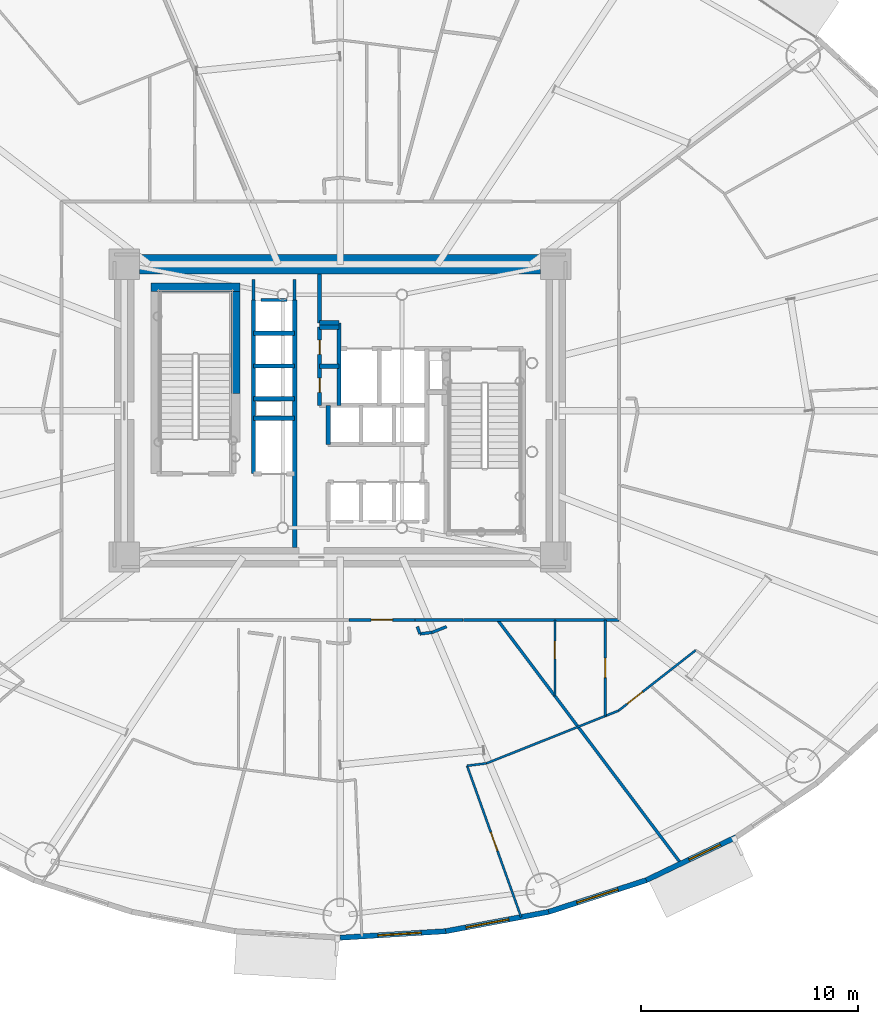
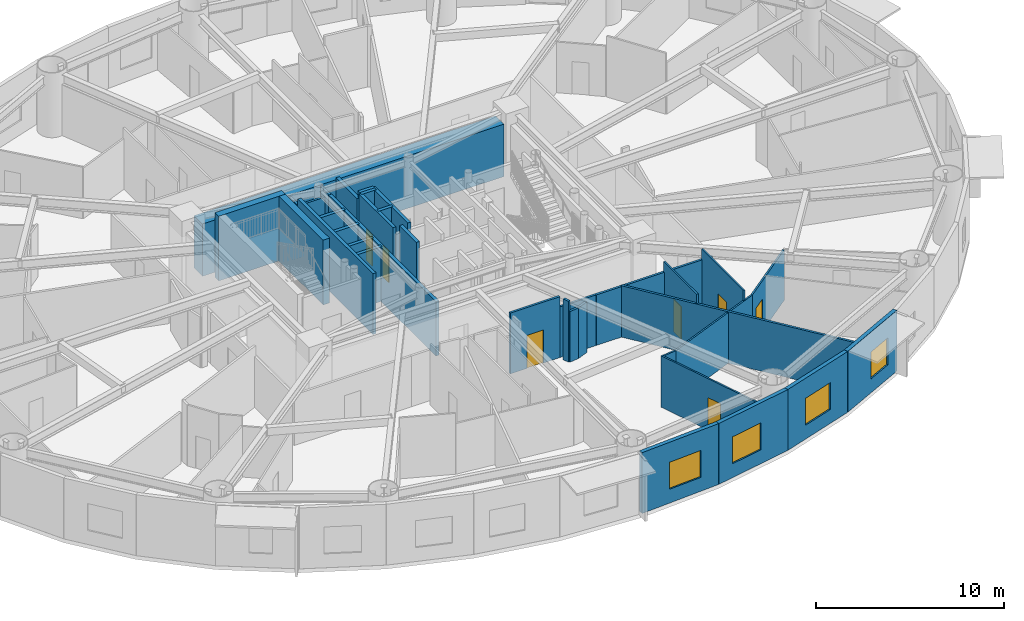
# One storey, part 12 of 24: 36 walls, 7 doors, 4 windows, 11 openings.
"""IFC4 building model written with IfcOpenShell, lengths in metres."""

from ifc_helpers import new_model, si_unit, direction, frame, frame_2d, origin, origin_2d, place, context, subcontext, project, spatial, rectangle, extrude, source, transform, mapped, material, layer, layer_set, type_object, element, fill, save


model = new_model("IFC4")

# Units and contexts
model_context = context("Model", 3, precision=1e-05, world=origin(), true_north=direction((0.0, 1.0)))
body_context = subcontext(model_context, "Body", "Model", "MODEL_VIEW")
ifc_project = project(units=[si_unit("LENGTHUNIT", "METRE"), si_unit("AREAUNIT", "SQUARE_METRE"), si_unit("VOLUMEUNIT", "CUBIC_METRE"), si_unit("PLANEANGLEUNIT", "RADIAN"), si_unit("MASSUNIT", "GRAM", prefix="KILO")], contexts=[model_context])

# Site, building, storey
site_placement = place(None, origin())
site = spatial("IfcSite", under=ifc_project, at=site_placement, CompositionType="ELEMENT")
building_placement = place(site_placement, origin())
building = spatial("IfcBuilding", under=site, at=building_placement, Name="Linh Dai School and Residence Tower", CompositionType="ELEMENT")
storey_placement = place(building_placement, frame((0.0, 0.0, 70.199951171875)))
storey = spatial("IfcBuildingStorey", under=building, at=storey_placement, Name="L16", CompositionType="ELEMENT", Elevation=70.199951171875)

# Wall, opening, window
ifc_material_1 = material(Name="Precast Concrete B45 (C35/45)", Category="concrete")
ifc_layer_1 = layer(ifc_material_1, 0.239990234375)
ifc_layer_set_1 = layer_set([ifc_layer_1], Name="Precast Concrete B45 (C35/45)")
wall_type_1 = type_object("IfcWallType", Name="EW-TC-240", PredefinedType="SOLIDWALL", material=ifc_layer_set_1)
wall_1_placement = place(storey_placement, frame((40.865478515625, 2.994873046875, 0.0), z_axis=(0.0, 0.0, 1.0), x_axis=(-0.998106954071, -0.061502099433, 0.0)))
wall_1 = element("IfcWall", 1, at=wall_1_placement, inside=storey, type_object=wall_type_1, Name="L16 Terracotta Exterior Wall 31", PredefinedType="SOLIDWALL", context=body_context, shape_type="SweptSolid", body=[
    extrude(rectangle(XDim=4.874755859375, YDim=0.239990234375, at=frame_2d((2.4375, 0.0))), origin(), (0.0, 0.0, 1.0), 3.949951171875),
])
opening_1_placement = place(wall_1_placement, frame((1.128173828125, 0.0, 0.89990234375)))
opening_1 = element("IfcOpeningElement", 2, at=opening_1_placement, cuts=wall_1, Name="Opening W1", PredefinedType="OPENING", context=body_context, shape_type="SweptSolid", body=[
    extrude(rectangle(XDim=2.0, YDim=1.75, at=origin_2d()), frame((1.0, 0.1298828125, 0.875), z_axis=(0.0, -1.0, 0.0), x_axis=(1.0, 0.0, 0.0)), (0.0, 0.0, 1.0), 0.260009765625),
])
ifc_material_2 = material(Name="Double Low-E Insulated Glazing", Category="glass")
window_type_1 = type_object("IfcWindowType", Name="WN-RES-2000x1750", PartitioningType="DOUBLE_PANEL_VERTICAL", PredefinedType="WINDOW", material=ifc_material_2)
shared_shape_1 = source(origin(), body_context, "Body", "SweptSolid", [
    extrude(rectangle(XDim=2.0, YDim=1.75, at=origin_2d()), frame((1.0, 0.030029296875, 0.875), z_axis=(0.0, -1.0, 0.0), x_axis=(1.0, 0.0, 0.0)), (0.0, 0.0, 1.0), 0.06005859375),
])
window_1_placement = place(opening_1_placement, origin())
window_1 = element("IfcWindow", 3, at=window_1_placement, inside=storey, type_object=window_type_1, Name="L16 Exterior Window 31.1", OverallHeight=1.75, OverallWidth=2.0, PartitioningType="DOUBLE_PANEL_VERTICAL", PredefinedType="WINDOW", context=body_context, shape_type="MappedRepresentation", body=[
    mapped(shared_shape_1, transform((0.0, 0.0, 0.0), x_axis=(1.0, 0.0, 0.0), y_axis=(0.0, 1.0, 0.0), z_axis=(0.0, 0.0, 1.0), scale=1.0)),
])
fill(opening_1, window_1)

wall_2_placement = place(storey_placement, frame((45.610595703125, 3.88671875, 0.0), z_axis=(0.0, 0.0, 1.0), x_axis=(-0.982791952378, -0.184715939598, 0.0)))
wall_2 = element("IfcWall", 4, at=wall_2_placement, inside=storey, type_object=wall_type_1, Name="L16 Terracotta Exterior Wall 32", PredefinedType="SOLIDWALL", context=body_context, shape_type="SweptSolid", body=[
    extrude(rectangle(XDim=4.828125, YDim=0.239990234375, at=frame_2d((2.4140625, 0.0))), origin(), (0.0, 0.0, 1.0), 3.949951171875),
])
opening_2_placement = place(wall_2_placement, frame((1.873779296875, 0.0, 0.89990234375)))
opening_2 = element("IfcOpeningElement", 5, at=opening_2_placement, cuts=wall_2, Name="Opening W1", PredefinedType="OPENING", context=body_context, shape_type="SweptSolid", body=[
    extrude(rectangle(XDim=2.0, YDim=1.75, at=origin_2d()), frame((1.0, 0.1298828125, 0.875), z_axis=(0.0, -1.0, 0.0), x_axis=(1.0, 0.0, 0.0)), (0.0, 0.0, 1.0), 0.260009765625),
])
window_2_placement = place(opening_2_placement, origin())
window_2 = element("IfcWindow", 6, at=window_2_placement, inside=storey, type_object=window_type_1, Name="L16 Exterior Window 32.1", OverallHeight=1.75, OverallWidth=2.0, PartitioningType="DOUBLE_PANEL_VERTICAL", PredefinedType="WINDOW", context=body_context, shape_type="MappedRepresentation", body=[
    mapped(shared_shape_1, transform((0.0, 0.0, 0.0), x_axis=(1.0, 0.0, 0.0), y_axis=(0.0, 1.0, 0.0), z_axis=(0.0, 0.0, 1.0), scale=1.0)),
])
fill(opening_2, window_2)

wall_3_placement = place(storey_placement, frame((50.1181640625, 5.348876953125, 0.0), z_axis=(0.0, 0.0, 1.0), x_axis=(-0.951207699013, -0.308551313946, 0.0)))
wall_3 = element("IfcWall", 7, at=wall_3_placement, inside=storey, type_object=wall_type_1, Name="L16 Terracotta Exterior Wall 33", PredefinedType="SOLIDWALL", context=body_context, shape_type="SweptSolid", body=[
    extrude(rectangle(XDim=4.73876953125, YDim=0.239990234375, at=frame_2d((2.369384765625, 0.0))), origin(), (0.0, 0.0, 1.0), 3.949951171875),
])
opening_3_placement = place(wall_3_placement, frame((1.369384765625, 0.0, 0.89990234375)))
opening_3 = element("IfcOpeningElement", 8, at=opening_3_placement, cuts=wall_3, Name="Opening W1", PredefinedType="OPENING", context=body_context, shape_type="SweptSolid", body=[
    extrude(rectangle(XDim=2.0, YDim=1.75, at=origin_2d()), frame((1.0, 0.1298828125, 0.875), z_axis=(0.0, -1.0, 0.0), x_axis=(1.0, 0.0, 0.0)), (0.0, 0.0, 1.0), 0.260009765625),
])
window_3_placement = place(opening_3_placement, origin())
window_3 = element("IfcWindow", 9, at=window_3_placement, inside=storey, type_object=window_type_1, Name="L16 Exterior Window 33.1", OverallHeight=1.75, OverallWidth=2.0, PartitioningType="DOUBLE_PANEL_VERTICAL", PredefinedType="WINDOW", context=body_context, shape_type="MappedRepresentation", body=[
    mapped(shared_shape_1, transform((0.0, 0.0, 0.0), x_axis=(1.0, 0.0, 0.0), y_axis=(0.0, 1.0, 0.0), z_axis=(0.0, 0.0, 1.0), scale=1.0)),
])
fill(opening_3, window_3)

wall_4_placement = place(storey_placement, frame((54.277099609375, 7.34423828125, 0.0), z_axis=(0.0, 0.0, 1.0), x_axis=(-0.901601503137, -0.432567601123, 0.0)))
wall_4 = element("IfcWall", 10, at=wall_4_placement, inside=storey, type_object=wall_type_1, Name="L16 Terracotta Exterior Wall 34", PredefinedType="SOLIDWALL", context=body_context, shape_type="SweptSolid", body=[
    extrude(rectangle(XDim=4.61279296875, YDim=0.239990234375, at=frame_2d((2.306396484375, 0.0))), origin(), (0.0, 0.0, 1.0), 3.949951171875),
])
opening_4_placement = place(wall_4_placement, frame((0.825927734375, 0.0, 0.89990234375)))
opening_4 = element("IfcOpeningElement", 11, at=opening_4_placement, cuts=wall_4, Name="Opening W2", PredefinedType="OPENING", context=body_context, shape_type="SweptSolid", body=[
    extrude(rectangle(XDim=1.60009765625, YDim=1.75, at=origin_2d()), frame((0.800048828125, 0.1298828125, 0.875), z_axis=(0.0, -1.0, 0.0), x_axis=(1.0, 0.0, 0.0)), (0.0, 0.0, 1.0), 0.260009765625),
])
window_type_2 = type_object("IfcWindowType", Name="WN-RES-1600x1750", PartitioningType="DOUBLE_PANEL_VERTICAL", PredefinedType="WINDOW", material=ifc_material_2)
shared_shape_2 = source(origin(), body_context, "Body", "SweptSolid", [
    extrude(rectangle(XDim=1.60009765625, YDim=1.75, at=origin_2d()), frame((0.800048828125, 0.030029296875, 0.875), z_axis=(0.0, -1.0, 0.0), x_axis=(1.0, 0.0, 0.0)), (0.0, 0.0, 1.0), 0.06005859375),
])
window_4_placement = place(opening_4_placement, origin())
window_4 = element("IfcWindow", 12, at=window_4_placement, inside=storey, type_object=window_type_2, Name="L16 Exterior Window 34.1", OverallHeight=1.75, OverallWidth=1.60009765625, PartitioningType="DOUBLE_PANEL_VERTICAL", PredefinedType="WINDOW", context=body_context, shape_type="MappedRepresentation", body=[
    mapped(shared_shape_2, transform((0.0, 0.0, 0.0), x_axis=(1.0, 0.0, 0.0), y_axis=(0.0, 1.0, 0.0), z_axis=(0.0, 0.0, 1.0), scale=1.0)),
])
fill(opening_4, window_4)

# Wall, opening, door
ifc_material_3 = material(Name="Autoclaved Aerated Concrete Blockwork", Category="masonry")
ifc_layer_2 = layer(ifc_material_3, 0.135009765625)
ifc_layer_set_2 = layer_set([ifc_layer_2], Name="Autoclaved Aerated Concrete Blockwork")
wall_type_2 = type_object("IfcWallType", Name="IW-CORR-135-EI90", PredefinedType="PARTITIONING", material=ifc_layer_set_2)
wall_5_placement = place(storey_placement, frame((36.398681640625, 17.35009765625, 0.0), z_axis=(0.0, 0.0, 1.0), x_axis=(1.0, 0.0, 0.0)))
wall_5 = element("IfcWall", 13, at=wall_5_placement, inside=storey, type_object=wall_type_2, Name="L16 Interior Partition Wall 062", PredefinedType="PARTITIONING", context=body_context, shape_type="SweptSolid", body=[
    extrude(rectangle(XDim=3.05029296875, YDim=0.135009765625, at=frame_2d((1.525146484375, 0.0))), origin(), (0.0, 0.0, 1.0), 3.949951171875),
])
opening_5_placement = place(wall_5_placement, frame((1.025146484375, 0.0, 0.0)))
opening_5 = element("IfcOpeningElement", 14, at=opening_5_placement, cuts=wall_5, Name="Opening D03", PredefinedType="OPENING", context=body_context, shape_type="SweptSolid", body=[
    extrude(rectangle(XDim=1.0, YDim=2.14990234375, at=origin_2d()), frame((0.5, 0.07763671875, 1.074951171875), z_axis=(0.0, -1.0, 0.0), x_axis=(1.0, 0.0, 0.0)), (0.0, 0.0, 1.0), 0.155029296875),
])
ifc_material_4 = material(Name="Fire-Rated Solid Timber Entrance Door", Category="wood")
door_type_1 = type_object("IfcDoorType", Name="DR-FLAT-1000x2150-FD60S", OperationType="NOTDEFINED", PredefinedType="DOOR", material=ifc_material_4)
shared_shape_3 = source(origin(), body_context, "Body", "SweptSolid", [
    extrude(rectangle(XDim=1.0, YDim=2.14990234375, at=origin_2d()), frame((0.5, 0.02490234375, 1.074951171875), z_axis=(0.0, -1.0, 0.0), x_axis=(1.0, 0.0, 0.0)), (0.0, 0.0, 1.0), 0.050048828125),
])
door_1_placement = place(opening_5_placement, origin())
door_1 = element("IfcDoor", 15, at=door_1_placement, inside=storey, type_object=door_type_1, Name="L16 U1605 Apartment Entrance Door", OperationType="SINGLE_SWING_LEFT", OverallHeight=2.14990234375, OverallWidth=1.0, PredefinedType="DOOR", context=body_context, shape_type="MappedRepresentation", body=[
    mapped(shared_shape_3, transform((0.0, 0.0, 0.0), x_axis=(1.0, 0.0, 0.0), y_axis=(0.0, 1.0, 0.0), z_axis=(0.0, 0.0, 1.0), scale=1.0)),
])
fill(opening_5, door_1)

# Walls
wall_6_placement = place(storey_placement, frame((41.6787109375, 17.35009765625, 0.0), z_axis=(0.0, 0.0, 1.0), x_axis=(1.0, 0.0, 0.0)))
element("IfcWall", 16, at=wall_6_placement, inside=storey, type_object=wall_type_2, Name="L16 Interior Partition Wall 082", PredefinedType="PARTITIONING", context=body_context, shape_type="SweptSolid", body=[
    extrude(rectangle(XDim=7.17138671875, YDim=0.135009765625, at=frame_2d((3.585693359375, 0.0))), origin(), (0.0, 0.0, 1.0), 3.28515625),
])
wall_7_placement = place(storey_placement, frame((43.26318359375, 17.35009765625, 0.0), z_axis=(0.0, 0.0, 1.0), x_axis=(0.601348900386, -0.798986545571, 0.0)))
element("IfcWall", 17, at=wall_7_placement, inside=storey, type_object=wall_type_2, Name="L16 Interior Partition Wall 087", PredefinedType="PARTITIONING", context=body_context, shape_type="SweptSolid", body=[
    extrude(rectangle(XDim=14.06494140625, YDim=0.135009765625, at=frame_2d((7.032470703125, 0.0))), origin(), (0.0, 0.0, 1.0), 3.3349609375),
])
wall_8_placement = place(storey_placement, frame((32.360107421875, 32.10009765625, 0.0), z_axis=(0.0, 0.0, 1.0), x_axis=(1.0, 0.0, 0.0)))
element("IfcWall", 18, at=wall_8_placement, inside=storey, type_object=wall_type_2, Name="L16 Interior Partition Wall 113", PredefinedType="PARTITIONING", context=body_context, shape_type="SweptSolid", body=[
    extrude(rectangle(XDim=1.179931640625, YDim=0.135009765625, at=frame_2d((0.58984375, 0.0))), origin(), (0.0, 0.0, 1.0), 3.53515625),
])
wall_9_placement = place(storey_placement, frame((32.0, 33.0400390625, 0.0), z_axis=(0.0, 0.0, 1.0), x_axis=(0.0, -1.0, 0.0)))
element("IfcWall", 19, at=wall_9_placement, inside=storey, type_object=wall_type_2, Name="L16 Interior Partition Wall 115", PredefinedType="PARTITIONING", context=body_context, shape_type="SweptSolid", body=[
    extrude(rectangle(XDim=0.929931640625, YDim=0.135009765625, at=frame_2d((0.46484375, 0.0))), origin(), (0.0, 0.0, 1.0), 3.485107421875),
])
wall_10_placement = place(storey_placement, frame((33.89990234375, 32.110107421875, 0.0), z_axis=(0.0, 0.0, 1.0), x_axis=(0.0, 1.0, 0.0)))
element("IfcWall", 20, at=wall_10_placement, inside=storey, type_object=wall_type_2, Name="L16 Interior Partition Wall 118", PredefinedType="PARTITIONING", context=body_context, shape_type="SweptSolid", body=[
    extrude(rectangle(XDim=0.929931640625, YDim=0.135009765625, at=frame_2d((0.46484375, 0.0))), origin(), (0.0, 0.0, 1.0), 3.53515625),
])
wall_11_placement = place(storey_placement, frame((41.668701171875, 17.35009765625, 0.0), z_axis=(0.0, 0.0, 1.0), x_axis=(-1.0, 0.0, 0.0)))
element("IfcWall", 21, at=wall_11_placement, inside=storey, type_object=wall_type_2, Name="L16 Interior Partition Wall 122", PredefinedType="PARTITIONING", context=body_context, shape_type="SweptSolid", body=[
    extrude(rectangle(XDim=2.209716796875, YDim=0.135009765625, at=frame_2d((1.10498046875, 0.0))), origin(), (0.0, 0.0, 1.0), 3.28515625),
])
wall_12_placement = place(storey_placement, frame((39.558837890625, 17.04248046875, 0.0), z_axis=(0.0, 0.0, 1.0), x_axis=(0.336510056282, -0.941679872367, 0.0)))
element("IfcWall", 22, at=wall_12_placement, inside=storey, type_object=wall_type_2, Name="L16 Interior Partition Wall 146", PredefinedType="PARTITIONING", context=body_context, shape_type="SweptSolid", body=[
    extrude(rectangle(XDim=0.356201171875, YDim=0.135009765625, at=frame_2d((0.17822265625, 0.0))), origin(), (0.0, 0.0, 1.0), 3.949951171875),
])
wall_13_placement = place(storey_placement, frame((39.6787109375, 16.70703125, 0.0), z_axis=(0.0, 0.0, 1.0), x_axis=(0.99240961586, 0.122976234894, 0.0)))
element("IfcWall", 23, at=wall_13_placement, inside=storey, type_object=wall_type_2, Name="L16 Interior Partition Wall 147", PredefinedType="PARTITIONING", context=body_context, shape_type="SweptSolid", body=[
    extrude(rectangle(XDim=0.56787109375, YDim=0.135009765625, at=frame_2d((0.283935546875, 0.0))), origin(), (0.0, 0.0, 1.0), 3.28515625),
])
wall_14_placement = place(storey_placement, frame((40.2421875, 16.77685546875, 0.0), z_axis=(0.0, 0.0, 1.0), x_axis=(0.928805178175, 0.370568402587, 0.0)))
element("IfcWall", 24, at=wall_14_placement, inside=storey, type_object=wall_type_2, Name="L16 Interior Partition Wall 148", PredefinedType="PARTITIONING", context=body_context, shape_type="SweptSolid", body=[
    extrude(rectangle(XDim=0.716796875, YDim=0.135009765625, at=frame_2d((0.3583984375, 0.0))), origin(), (0.0, 0.0, 1.0), 3.28515625),
])
ifc_material_5 = material(Name="Concrete B45 (C35/45)", Category="concrete")
ifc_layer_3 = layer(ifc_material_5, 0.199951171875)
ifc_layer_set_3 = layer_set([ifc_layer_3], Name="Concrete B45 (C35/45)")
wall_type_3 = type_object("IfcWallType", Name="IW-SHAFT-200-EI120", PredefinedType="PARTITIONING", material=ifc_layer_set_3)
wall_15_placement = place(storey_placement, frame((32.0, 24.10009765625, 0.0), z_axis=(0.0, 0.0, 1.0), x_axis=(0.0, 1.0, 0.0)))
element("IfcWall", 25, at=wall_15_placement, inside=storey, type_object=wall_type_3, Name="L16 Interior Partition Wall 037", PredefinedType="PARTITIONING", context=body_context, shape_type="SweptSolid", body=[
    extrude(rectangle(XDim=8.0, YDim=0.199951171875, at=frame_2d((4.0, 0.0))), origin(), (0.0, 0.0, 1.0), 3.949951171875),
])
for number, where, z_axis, x_axis, name in (
    (26, (32.0, 26.64990234375, 0.0), (0.0, 0.0, 1.0), (1.0, 0.0, 0.0), "L16 Interior Partition Wall 039"),
    (27, (32.0, 27.550048828125, 0.0), (0.0, 0.0, 1.0), (1.0, 0.0, 0.0), "L16 Interior Partition Wall 040"),
    (28, (32.0, 29.06005859375, 0.0), (0.0, 0.0, 1.0), (1.0, 0.0, 0.0), "L16 Interior Partition Wall 041"),
    (29, (32.0, 30.580078125, 0.0), (0.0, 0.0, 1.0), (1.0, 0.0, 0.0), "L16 Interior Partition Wall 042"),
):
    element("IfcWall", number, at=place(storey_placement, frame(where, z_axis=z_axis, x_axis=x_axis)), inside=storey, type_object=wall_type_3, Name=name, PredefinedType="PARTITIONING", context=body_context, shape_type="SweptSolid", body=[
        extrude(rectangle(XDim=1.89990234375, YDim=0.199951171875, at=frame_2d((0.949951171875, 0.0))), origin(), (0.0, 0.0, 1.0), 3.53515625),
    ])
wall_16_placement = place(storey_placement, frame((33.89990234375, 20.699951171875, 0.0), z_axis=(0.0, 0.0, 1.0), x_axis=(0.0, 1.0, 0.0)))
element("IfcWall", 30, at=wall_16_placement, inside=storey, type_object=wall_type_3, Name="L16 Interior Partition Wall 044", PredefinedType="PARTITIONING", context=body_context, shape_type="SweptSolid", body=[
    extrude(rectangle(XDim=11.400146484375, YDim=0.199951171875, at=frame_2d((5.7001953125, 0.0))), origin(), (0.0, 0.0, 1.0), 3.53515625),
])

# Wall, openings, doors
wall_17_placement = place(storey_placement, frame((35.050048828125, 27.25, 0.0), z_axis=(0.0, 0.0, 1.0), x_axis=(0.0, 1.0, 0.0)))
wall_17 = element("IfcWall", 31, at=wall_17_placement, inside=storey, type_object=wall_type_3, Name="L16 Interior Partition Wall 047", PredefinedType="PARTITIONING", context=body_context, shape_type="SweptSolid", body=[
    extrude(rectangle(XDim=3.60009765625, YDim=0.199951171875, at=frame_2d((1.800048828125, 0.0))), origin(), (0.0, 0.0, 1.0), 3.949951171875),
])
opening_6_placement = place(wall_17_placement, frame((0.590087890625, 0.0, 0.0)))
opening_6 = element("IfcOpeningElement", 32, at=opening_6_placement, cuts=wall_17, Name="Opening AD1", PredefinedType="OPENING", context=body_context, shape_type="SweptSolid", body=[
    extrude(rectangle(XDim=0.659912109375, YDim=2.050048828125, at=origin_2d()), frame((0.330078125, 0.10986328125, 1.02490234375), z_axis=(0.0, -1.0, 0.0), x_axis=(1.0, 0.0, 0.0)), (0.0, 0.0, 1.0), 0.219970703125),
])
opening_7_placement = place(wall_17_placement, frame((2.35009765625, 0.0, 0.0)))
opening_7 = element("IfcOpeningElement", 33, at=opening_7_placement, cuts=wall_17, Name="Opening AD1", PredefinedType="OPENING", context=body_context, shape_type="SweptSolid", body=[
    extrude(rectangle(XDim=0.659912109375, YDim=2.050048828125, at=origin_2d()), frame((0.330078125, 0.10986328125, 1.02490234375), z_axis=(0.0, -1.0, 0.0), x_axis=(1.0, 0.0, 0.0)), (0.0, 0.0, 1.0), 0.219970703125),
])
ifc_material_6 = material(Name="Fire-Rated Steel Riser Access Door", Category="steel")
door_type_2 = type_object("IfcDoorType", Name="DR-ACC-660x2050-FD90S", OperationType="NOTDEFINED", PredefinedType="USERDEFINED", material=ifc_material_6)
shared_shape_4 = source(origin(), body_context, "Body", "SweptSolid", [
    extrude(rectangle(XDim=0.659912109375, YDim=2.050048828125, at=origin_2d()), frame((0.330078125, 0.02490234375, 1.02490234375), z_axis=(0.0, -1.0, 0.0), x_axis=(1.0, 0.0, 0.0)), (0.0, 0.0, 1.0), 0.050048828125),
])
door_2_placement = place(opening_6_placement, origin())
door_2 = element("IfcDoor", 34, at=door_2_placement, inside=storey, type_object=door_type_2, Name="L16 Telecom and Data Riser Access Door", ObjectType="ACCESS DOOR", OperationType="SINGLE_SWING_RIGHT", OverallHeight=2.050048828125, OverallWidth=0.659912109375, PredefinedType="USERDEFINED", context=body_context, shape_type="MappedRepresentation", body=[
    mapped(shared_shape_4, transform((0.0, 0.0, 0.0), x_axis=(1.0, 0.0, 0.0), y_axis=(0.0, 1.0, 0.0), z_axis=(0.0, 0.0, 1.0), scale=1.0)),
])
fill(opening_6, door_2)
door_3_placement = place(opening_7_placement, origin())
door_3 = element("IfcDoor", 35, at=door_3_placement, inside=storey, type_object=door_type_2, Name="L16 Mechanical and Plumbing Riser Access Door", ObjectType="ACCESS DOOR", OperationType="SINGLE_SWING_LEFT", OverallHeight=2.050048828125, OverallWidth=0.659912109375, PredefinedType="USERDEFINED", context=body_context, shape_type="MappedRepresentation", body=[
    mapped(shared_shape_4, transform((0.0, 0.0, 0.0), x_axis=(1.0, 0.0, 0.0), y_axis=(0.0, 1.0, 0.0), z_axis=(0.0, 0.0, 1.0), scale=1.0)),
])
fill(opening_7, door_3)

# Walls
for number, where, z_axis, x_axis, name in (
    (36, (35.050048828125, 29.050048828125, 0.0), (0.0, 0.0, 1.0), (1.0, 0.0, 0.0), "L16 Interior Partition Wall 049"),
    (37, (35.050048828125, 30.85009765625, 0.0), (0.0, 0.0, 1.0), (1.0, 0.0, 0.0), "L16 Interior Partition Wall 050"),
):
    element("IfcWall", number, at=place(storey_placement, frame(where, z_axis=z_axis, x_axis=x_axis)), inside=storey, type_object=wall_type_3, Name=name, PredefinedType="PARTITIONING", context=body_context, shape_type="SweptSolid", body=[
        extrude(rectangle(XDim=0.89990234375, YDim=0.199951171875, at=frame_2d((0.449951171875, 0.0))), origin(), (0.0, 0.0, 1.0), 3.949951171875),
    ])
wall_18_placement = place(storey_placement, frame((35.050048828125, 31.050048828125, 0.0), z_axis=(0.0, 0.0, 1.0), x_axis=(0.0, 1.0, 0.0)))
element("IfcWall", 38, at=wall_18_placement, inside=storey, type_object=wall_type_3, Name="L16 Interior Partition Wall 051", PredefinedType="PARTITIONING", context=body_context, shape_type="SweptSolid", body=[
    extrude(rectangle(XDim=2.25, YDim=0.199951171875, at=frame_2d((1.125, 0.0))), origin(), (0.0, 0.0, 1.0), 3.53515625),
])
wall_19_placement = place(storey_placement, frame((35.050048828125, 31.050048828125, 0.0), z_axis=(0.0, 0.0, 1.0), x_axis=(1.0, 0.0, 0.0)))
element("IfcWall", 39, at=wall_19_placement, inside=storey, type_object=wall_type_3, Name="L16 Interior Partition Wall 052", PredefinedType="PARTITIONING", context=body_context, shape_type="SweptSolid", body=[
    extrude(rectangle(XDim=0.89990234375, YDim=0.199951171875, at=frame_2d((0.449951171875, 0.0))), origin(), (0.0, 0.0, 1.0), 3.949951171875),
])
wall_20_placement = place(storey_placement, frame((35.449951171875, 25.449951171875, 0.0), z_axis=(0.0, 0.0, 1.0), x_axis=(0.0, 1.0, 0.0)))
element("IfcWall", 40, at=wall_20_placement, inside=storey, type_object=wall_type_3, Name="L16 Interior Partition Wall 056", PredefinedType="PARTITIONING", context=body_context, shape_type="SweptSolid", body=[
    extrude(rectangle(XDim=1.800048828125, YDim=0.199951171875, at=frame_2d((0.89990234375, 0.0))), origin(), (0.0, 0.0, 1.0), 3.949951171875),
])
wall_21_placement = place(storey_placement, frame((35.949951171875, 27.25, 0.0), z_axis=(0.0, 0.0, 1.0), x_axis=(0.0, 1.0, 0.0)))
element("IfcWall", 41, at=wall_21_placement, inside=storey, type_object=wall_type_3, Name="L16 Interior Partition Wall 058", PredefinedType="PARTITIONING", context=body_context, shape_type="SweptSolid", body=[
    extrude(rectangle(XDim=3.800048828125, YDim=0.199951171875, at=frame_2d((1.89990234375, 0.0))), origin(), (0.0, 0.0, 1.0), 3.949951171875),
])
ifc_material_7 = material(Name="Gypsum Plasterboard Acoustic Stud Partition", Category="masonry")
ifc_layer_4 = layer(ifc_material_7, 0.10009765625)
ifc_layer_set_4 = layer_set([ifc_layer_4], Name="Gypsum Plasterboard Acoustic Stud Partition")
wall_type_4 = type_object("IfcWallType", Name="IW-UNIT-100", PredefinedType="PARTITIONING", material=ifc_layer_set_4)
wall_22_placement = place(storey_placement, frame((41.8525390625, 10.624755859375, 0.0), z_axis=(0.0, 0.0, 1.0), x_axis=(0.992377342159, 0.123236401967, 0.0)))
element("IfcWall", 42, at=wall_22_placement, inside=storey, type_object=wall_type_4, Name="L16 Interior Partition Wall 083", PredefinedType="PARTITIONING", context=body_context, shape_type="SweptSolid", body=[
    extrude(rectangle(XDim=0.9033203125, YDim=0.10009765625, at=frame_2d((0.45166015625, 0.0))), origin(), (0.0, 0.0, 1.0), 3.28515625),
])

# Wall, opening, door
wall_23_placement = place(storey_placement, frame((41.8525390625, 10.624755859375, 0.0), z_axis=(0.0, 0.0, 1.0), x_axis=(0.336528336128, -0.941673339849, 0.0)))
wall_23 = element("IfcWall", 43, at=wall_23_placement, inside=storey, type_object=wall_type_4, Name="L16 Interior Partition Wall 084", PredefinedType="PARTITIONING", context=body_context, shape_type="SweptSolid", body=[
    extrude(rectangle(XDim=7.412841796875, YDim=0.10009765625, at=frame_2d((3.70654296875, 0.0))), origin(), (0.0, 0.0, 1.0), 3.3349609375),
])
opening_8_placement = place(wall_23_placement, frame((3.256591796875, 0.0, 0.0)))
opening_8 = element("IfcOpeningElement", 44, at=opening_8_placement, cuts=wall_23, Name="Opening D05", PredefinedType="OPENING", context=body_context, shape_type="SweptSolid", body=[
    extrude(rectangle(XDim=0.89990234375, YDim=2.10009765625, at=origin_2d()), frame((0.449951171875, 0.06005859375, 1.050048828125), z_axis=(0.0, -1.0, 0.0), x_axis=(1.0, 0.0, 0.0)), (0.0, 0.0, 1.0), 0.1201171875),
])
ifc_material_8 = material(Name="Engineered Timber Internal Door", Category="wood")
door_type_3 = type_object("IfcDoorType", Name="DR-INT-900x2100", OperationType="NOTDEFINED", PredefinedType="DOOR", material=ifc_material_8)
shared_shape_5 = source(origin(), body_context, "Body", "SweptSolid", [
    extrude(rectangle(XDim=0.89990234375, YDim=2.10009765625, at=origin_2d()), frame((0.449951171875, 0.02490234375, 1.050048828125), z_axis=(0.0, -1.0, 0.0), x_axis=(1.0, 0.0, 0.0)), (0.0, 0.0, 1.0), 0.050048828125),
])
door_4_placement = place(opening_8_placement, origin())
door_4 = element("IfcDoor", 45, at=door_4_placement, inside=storey, type_object=door_type_3, Name="L16 Apartment U1605 Principal Bedroom 2 Door", OperationType="SINGLE_SWING_LEFT", OverallHeight=2.10009765625, OverallWidth=0.89990234375, PredefinedType="DOOR", context=body_context, shape_type="MappedRepresentation", body=[
    mapped(shared_shape_5, transform((0.0, 0.0, 0.0), x_axis=(1.0, 0.0, 0.0), y_axis=(0.0, 1.0, 0.0), z_axis=(0.0, 0.0, 1.0), scale=1.0)),
])
fill(opening_8, door_4)

# Wall
wall_24_placement = place(storey_placement, frame((42.7490234375, 10.736083984375, 0.0), z_axis=(0.0, 0.0, 1.0), x_axis=(0.928807683782, 0.370562122386, 0.0)))
element("IfcWall", 46, at=wall_24_placement, inside=storey, type_object=wall_type_4, Name="L16 Interior Partition Wall 085", PredefinedType="PARTITIONING", context=body_context, shape_type="SweptSolid", body=[
    extrude(rectangle(XDim=6.5546875, YDim=0.10009765625, at=frame_2d((3.27734375, 0.0))), origin(), (0.0, 0.0, 1.0), 3.28515625),
])

# Wall, opening, door
wall_25_placement = place(storey_placement, frame((45.9033203125, 13.842041015625, 0.0), z_axis=(0.0, 0.0, 1.0), x_axis=(0.0, 1.0, 0.0)))
wall_25 = element("IfcWall", 47, at=wall_25_placement, inside=storey, type_object=wall_type_4, Name="L16 Interior Partition Wall 089", PredefinedType="PARTITIONING", context=body_context, shape_type="SweptSolid", body=[
    extrude(rectangle(XDim=3.508056640625, YDim=0.10009765625, at=frame_2d((1.75390625, 0.0))), origin(), (0.0, 0.0, 1.0), 3.949951171875),
])
opening_9_placement = place(wall_25_placement, frame((1.711181640625, 0.0, 0.0)))
opening_9 = element("IfcOpeningElement", 48, at=opening_9_placement, cuts=wall_25, Name="Opening D06", PredefinedType="OPENING", context=body_context, shape_type="SweptSolid", body=[
    extrude(rectangle(XDim=0.820068359375, YDim=2.10009765625, at=origin_2d()), frame((0.41015625, 0.06005859375, 1.050048828125), z_axis=(0.0, -1.0, 0.0), x_axis=(1.0, 0.0, 0.0)), (0.0, 0.0, 1.0), 0.1201171875),
])
ifc_material_9 = material(Name="Moisture-Resistant Timber Bathroom Door", Category="wood")
door_type_4 = type_object("IfcDoorType", Name="DR-WET-820x2100", OperationType="NOTDEFINED", PredefinedType="DOOR", material=ifc_material_9)
shared_shape_6 = source(origin(), body_context, "Body", "SweptSolid", [
    extrude(rectangle(XDim=0.820068359375, YDim=2.10009765625, at=origin_2d()), frame((0.41015625, 0.02490234375, 1.050048828125), z_axis=(0.0, -1.0, 0.0), x_axis=(1.0, 0.0, 0.0)), (0.0, 0.0, 1.0), 0.050048828125),
])
door_5_placement = place(opening_9_placement, origin())
door_5 = element("IfcDoor", 49, at=door_5_placement, inside=storey, type_object=door_type_4, Name="L16 Apartment U1606 Bathroom 1 Door", OperationType="SINGLE_SWING_RIGHT", OverallHeight=2.10009765625, OverallWidth=0.820068359375, PredefinedType="DOOR", context=body_context, shape_type="MappedRepresentation", body=[
    mapped(shared_shape_6, transform((0.0, 0.0, 0.0), x_axis=(1.0, 0.0, 0.0), y_axis=(0.0, 1.0, 0.0), z_axis=(0.0, 0.0, 1.0), scale=1.0)),
])
fill(opening_9, door_5)

wall_26_placement = place(storey_placement, frame((48.226806640625, 12.92138671875, 0.0), z_axis=(0.0, 0.0, 1.0), x_axis=(0.0, 1.0, 0.0)))
wall_26 = element("IfcWall", 50, at=wall_26_placement, inside=storey, type_object=wall_type_4, Name="L16 Interior Partition Wall 090", PredefinedType="PARTITIONING", context=body_context, shape_type="SweptSolid", body=[
    extrude(rectangle(XDim=4.4287109375, YDim=0.10009765625, at=frame_2d((2.21435546875, 0.0))), origin(), (0.0, 0.0, 1.0), 3.949951171875),
])
opening_10_placement = place(wall_26_placement, frame((1.764404296875, 0.0, 0.0)))
opening_10 = element("IfcOpeningElement", 51, at=opening_10_placement, cuts=wall_26, Name="Opening D05", PredefinedType="OPENING", context=body_context, shape_type="SweptSolid", body=[
    extrude(rectangle(XDim=0.89990234375, YDim=2.10009765625, at=origin_2d()), frame((0.449951171875, 0.06005859375, 1.050048828125), z_axis=(0.0, -1.0, 0.0), x_axis=(1.0, 0.0, 0.0)), (0.0, 0.0, 1.0), 0.1201171875),
])
door_6_placement = place(opening_10_placement, origin())
door_6 = element("IfcDoor", 52, at=door_6_placement, inside=storey, type_object=door_type_3, Name="L16 Apartment U1606 Kitchen Door", OperationType="SINGLE_SWING_LEFT", OverallHeight=2.10009765625, OverallWidth=0.89990234375, PredefinedType="DOOR", context=body_context, shape_type="MappedRepresentation", body=[
    mapped(shared_shape_5, transform((0.0, 0.0, 0.0), x_axis=(1.0, 0.0, 0.0), y_axis=(0.0, 1.0, 0.0), z_axis=(0.0, 0.0, 1.0), scale=1.0)),
])
fill(opening_10, door_6)

wall_27_placement = place(storey_placement, frame((48.837158203125, 13.1650390625, 0.0), z_axis=(0.0, 0.0, 1.0), x_axis=(0.787356886128, 0.616497472717, 0.0)))
wall_27 = element("IfcWall", 53, at=wall_27_placement, inside=storey, type_object=wall_type_4, Name="L16 Interior Partition Wall 091", PredefinedType="PARTITIONING", context=body_context, shape_type="SweptSolid", body=[
    extrude(rectangle(XDim=4.5224609375, YDim=0.10009765625, at=frame_2d((2.26123046875, 0.0))), origin(), (0.0, 0.0, 1.0), 3.28515625),
])
opening_11_placement = place(wall_27_placement, frame((0.505859375, 0.0, 0.0)))
opening_11 = element("IfcOpeningElement", 54, at=opening_11_placement, cuts=wall_27, Name="Opening D05", PredefinedType="OPENING", context=body_context, shape_type="SweptSolid", body=[
    extrude(rectangle(XDim=0.89990234375, YDim=2.10009765625, at=origin_2d()), frame((0.449951171875, 0.06005859375, 1.050048828125), z_axis=(0.0, -1.0, 0.0), x_axis=(1.0, 0.0, 0.0)), (0.0, 0.0, 1.0), 0.1201171875),
])
door_7_placement = place(opening_11_placement, origin())
door_7 = element("IfcDoor", 55, at=door_7_placement, inside=storey, type_object=door_type_3, Name="L16 Apartment U1606 Principal Bedroom 1 Door", OperationType="SINGLE_SWING_LEFT", OverallHeight=2.10009765625, OverallWidth=0.89990234375, PredefinedType="DOOR", context=body_context, shape_type="MappedRepresentation", body=[
    mapped(shared_shape_5, transform((0.0, 0.0, 0.0), x_axis=(1.0, 0.0, 0.0), y_axis=(0.0, 1.0, 0.0), z_axis=(0.0, 0.0, 1.0), scale=1.0)),
])
fill(opening_11, door_7)

# Walls
ifc_layer_5 = layer(ifc_material_5, 0.39990234375)
ifc_layer_set_5 = layer_set([ifc_layer_5], Name="Concrete B45 (C35/45)")
wall_type_5 = type_object("IfcWallType", Name="WL-CORE400", PredefinedType="SHEAR", material=ifc_layer_set_5)
wall_28_placement = place(storey_placement, frame((31.179931640625, 27.800048828125, 0.0), z_axis=(0.0, 0.0, 1.0), x_axis=(0.0, 1.0, 0.0)))
element("IfcWall", 56, at=wall_28_placement, inside=storey, type_object=wall_type_5, Name="L16 Core Stair ST1 Bearing Wall E", PredefinedType="SHEAR", context=body_context, shape_type="SweptSolid", body=[
    extrude(rectangle(XDim=4.89990234375, YDim=0.39990234375, at=frame_2d((2.449951171875, 0.0))), origin(), (0.0, 0.0, 1.0), 4.199951171875),
])
wall_29_placement = place(storey_placement, frame((27.280029296875, 32.699951171875, 0.0), z_axis=(0.0, 0.0, 1.0), x_axis=(1.0, 0.0, 0.0)))
element("IfcWall", 57, at=wall_29_placement, inside=storey, type_object=wall_type_5, Name="L16 Core Stair ST1 Bearing Wall N", PredefinedType="SHEAR", context=body_context, shape_type="SweptSolid", body=[
    extrude(rectangle(XDim=4.099853515625, YDim=0.39990234375, at=frame_2d((2.0498046875, 0.0))), origin(), (0.0, 0.0, 1.0), 4.199951171875),
])
ifc_material_10 = material(Name="Concrete B60 (C50/60)", Category="concrete")
ifc_layer_6 = layer(ifc_material_10, 0.89990234375)
ifc_layer_set_6 = layer_set([ifc_layer_6], Name="Concrete B60 (C50/60)")
wall_type_6 = type_object("IfcWallType", Name="WL-CORE900", PredefinedType="SHEAR", material=ifc_layer_set_6)
wall_30_placement = place(storey_placement, frame((26.75, 33.75, 0.0), z_axis=(0.0, 0.0, 1.0), x_axis=(1.0, 0.0, 0.0)))
element("IfcWall", 58, at=wall_30_placement, inside=storey, type_object=wall_type_6, Name="L16 Central Core Shear Wall N", PredefinedType="SHEAR", context=body_context, shape_type="SweptSolid", body=[
    extrude(rectangle(XDim=18.5, YDim=0.89990234375, at=frame_2d((9.25, 0.0))), origin(), (0.0, 0.0, 1.0), 3.400146484375),
])

save(model, "model.ifc")
